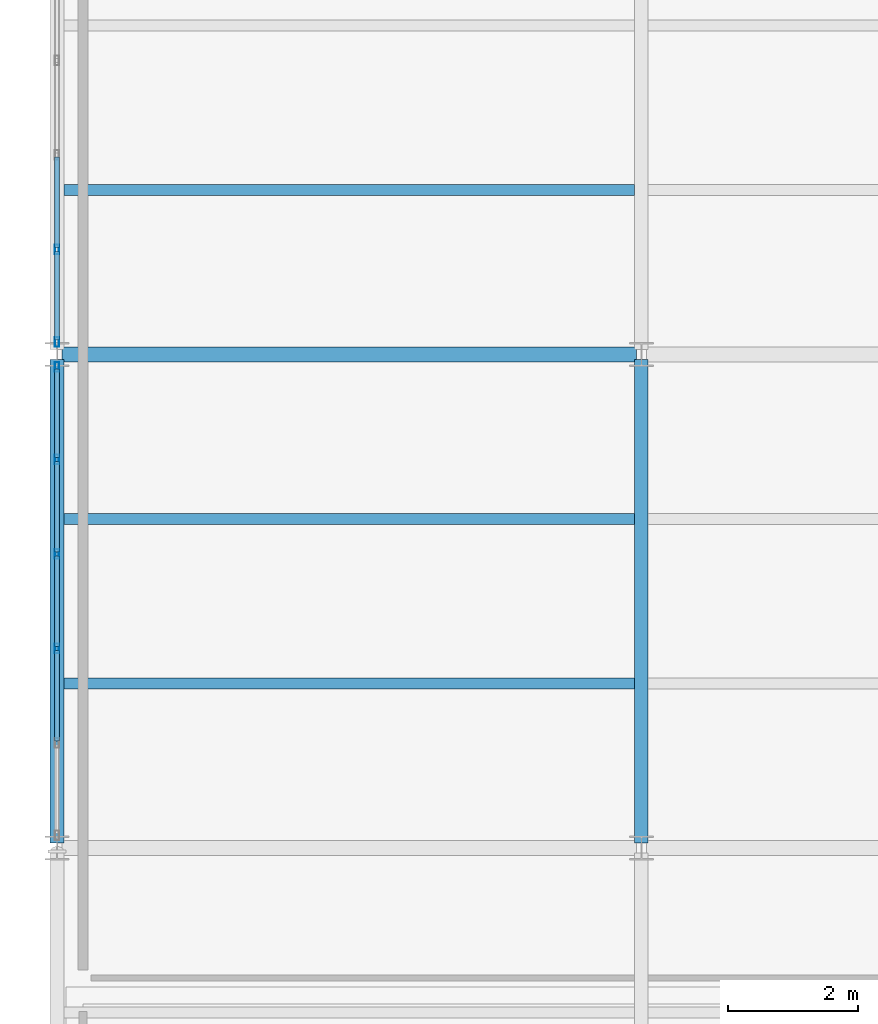
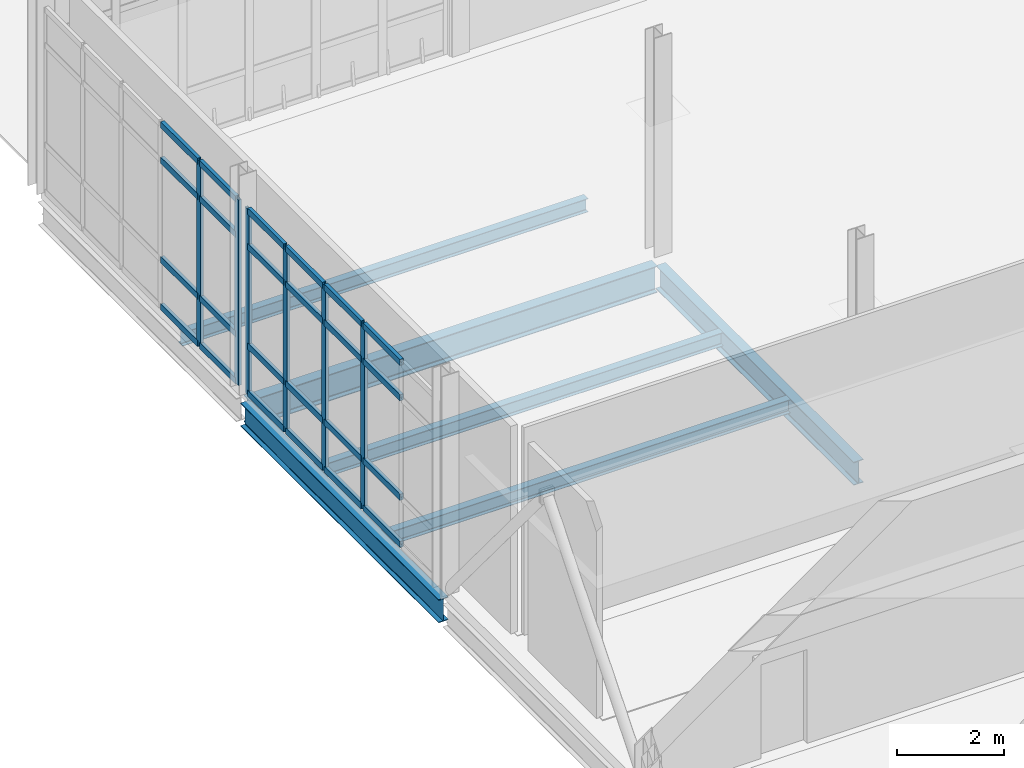
# One storey, part 42 of 161: 30 members, 6 beams, 2 elements without a shape of their own.
"""IFC4 building model written with IfcOpenShell, lengths in metres."""

from ifc_helpers import new_model, si_unit, direction, frame, origin, origin_2d, place, context, subcontext, project, spatial, hollow_rectangle, i_section, extrude, material, material_profile, profile_set, type_object, element, aggregate, save


model = new_model("IFC4")

# Units and contexts
model_context = context("Model", 3, precision=1e-05, world=origin(), true_north=direction((0.0, 1.0)))
body_context = subcontext(model_context, "Body", "Model", "MODEL_VIEW")
ifc_project = project(units=[si_unit("LENGTHUNIT", "METRE"), si_unit("AREAUNIT", "SQUARE_METRE"), si_unit("VOLUMEUNIT", "CUBIC_METRE"), si_unit("PLANEANGLEUNIT", "RADIAN"), si_unit("MASSUNIT", "GRAM", prefix="KILO")], contexts=[model_context])

# Site, building, storey
site_placement = place(None, origin())
site = spatial("IfcSite", under=ifc_project, at=site_placement, CompositionType="ELEMENT")
building_placement = place(site_placement, origin())
building = spatial("IfcBuilding", under=site, at=building_placement, Name="Caisbarro Railhouse Central Library", CompositionType="ELEMENT")
storey_placement = place(building_placement, origin())
storey = spatial("IfcBuildingStorey", under=building, at=storey_placement, Name="L00", CompositionType="ELEMENT", Elevation=0.0)

# Beams
ifc_material_1 = material(Name="Steel ASTM A572 Grade 50", Category="steel")
ifc_material_profile_1 = material_profile(ifc_material_1, i_section(OverallWidth=0.22802734375, OverallDepth=0.60791015625, WebThickness=0.01123046875, FlangeThickness=0.017333984375, FilletRadius=0.02197265625, at=origin_2d()), Name="W610X113.0")
ifc_profile_set_1 = profile_set([ifc_material_profile_1], Name="Steel ASTM A572 Grade 50")
beam_type_1 = type_object("IfcBeamType", Name="BM-G04", PredefinedType="BEAM", material=ifc_profile_set_1)
beam_placement = place(storey_placement, frame((0.080078125, 53.199951171875, -0.553955078125), z_axis=(1.0, 0.0, 0.0), x_axis=(0.0, 1.0, 0.0)))
element("IfcBeam", 1, at=beam_placement, inside=storey, type_object=beam_type_1, Name="G04 beam L00 #267", PredefinedType="BEAM", context=body_context, shape_type="SweptSolid", body=[
    extrude(i_section(OverallWidth=0.22802734375, OverallDepth=0.60791015625, WebThickness=0.01123046875, FlangeThickness=0.017333984375, FilletRadius=0.02197265625, at=origin_2d()), origin(), (0.0, 0.0, 1.0), 8.83984375),
])
ifc_material_profile_2 = material_profile(ifc_material_1, i_section(OverallWidth=0.208984375, OverallDepth=0.532958984375, WebThickness=0.01025390625, FlangeThickness=0.015625, FilletRadius=0.02001953125, at=origin_2d()), Name="W530X92.0")
ifc_profile_set_2 = profile_set([ifc_material_profile_2], Name="Steel ASTM A572 Grade 50")
beam_type_2 = type_object("IfcBeamType", Name="BM-G06", PredefinedType="BEAM", material=ifc_profile_set_2)
for number, where, z_axis, x_axis, name in (
    (2, (0.0, 45.679931640625, -0.5166015625), (0.0, 1.0, 0.0), (-1.0, 0.0, 0.0), "G06 beam L00 #285"),
    (3, (9.0, 45.679931640625, -0.5166015625), (0.0, 1.0, 0.0), (-1.0, 0.0, 0.0), "G06 beam L00 #289"),
):
    element("IfcBeam", number, at=place(storey_placement, frame(where, z_axis=z_axis, x_axis=x_axis)), inside=storey, type_object=beam_type_2, Name=name, PredefinedType="BEAM", context=body_context, shape_type="SweptSolid", body=[
        extrude(i_section(OverallWidth=0.208984375, OverallDepth=0.532958984375, WebThickness=0.01025390625, FlangeThickness=0.015625, FilletRadius=0.02001953125, at=origin_2d()), origin(), (0.0, 0.0, 1.0), 7.440185546875),
    ])
ifc_material_profile_3 = material_profile(ifc_material_1, i_section(OverallWidth=0.1650390625, OverallDepth=0.31005859375, WebThickness=0.005859375, FlangeThickness=0.009765625, FilletRadius=0.011962890625, at=origin_2d()), Name="W310X38.7")
ifc_profile_set_3 = profile_set([ifc_material_profile_3], Name="Steel ASTM A572 Grade 50")
beam_type_3 = type_object("IfcBeamType", Name="BM-J03", PredefinedType="JOIST", material=ifc_profile_set_3)
for number, where, z_axis, x_axis, name in (
    (4, (0.1044921875, 48.13330078125, -0.405029296875), (1.0, 0.0, 0.0), (0.0, 1.0, 0.0), "J03 beam L00 #323"),
    (5, (0.1044921875, 50.666748046875, -0.405029296875), (1.0, 0.0, 0.0), (0.0, 1.0, 0.0), "J03 beam L00 #324"),
    (6, (0.1044921875, 55.7333984375, -0.405029296875), (1.0, 0.0, 0.0), (0.0, 1.0, 0.0), "J03 beam L00 #325"),
):
    element("IfcBeam", number, at=place(storey_placement, frame(where, z_axis=z_axis, x_axis=x_axis)), inside=storey, type_object=beam_type_3, Name=name, PredefinedType="JOIST", context=body_context, shape_type="SweptSolid", body=[
        extrude(i_section(OverallWidth=0.1650390625, OverallDepth=0.31005859375, WebThickness=0.005859375, FlangeThickness=0.009765625, FilletRadius=0.011962890625, at=origin_2d()), origin(), (0.0, 0.0, 1.0), 8.791015625),
    ])

# Curtain wall, members
ifc_material_2 = material(Name="Anodised architectural aluminium", Category="aluminium")
curtain_wall_type = type_object("IfcCurtainWallType", Name="CW-CW02", PredefinedType="NOTDEFINED", material=ifc_material_2)
curtain_wall_1_placement = place(storey_placement, origin())
curtain_wall_1 = element("IfcCurtainWall", 7, at=curtain_wall_1_placement, inside=storey, type_object=curtain_wall_type, Name="CW02 curtain wall L00 #21", PredefinedType="NOTDEFINED")
ifc_material_profile_4 = material_profile(ifc_material_2, hollow_rectangle(XDim=0.06494140625, YDim=0.14990234375, WallThickness=0.00390625, at=origin_2d()), Name="ALU-MUL-65X150")
ifc_profile_set_4 = profile_set([ifc_material_profile_4], Name="Anodised architectural aluminium")
member_type_1 = type_object("IfcMemberType", Name="CWM-M02", PredefinedType="MULLION", material=ifc_profile_set_4)
member_1_placement = place(storey_placement, frame((0.0, 48.672119140625, 0.0), z_axis=(0.0, 0.0, 1.0), x_axis=(-1.0, 0.0, 0.0)))
member_1 = element("IfcMember", 8, at=member_1_placement, type_object=member_type_1, Name="CW02 mullion 3", PredefinedType="MULLION", context=body_context, shape_type="SweptSolid", body=[
    extrude(hollow_rectangle(XDim=0.06494140625, YDim=0.14990234375, WallThickness=0.00390625, at=origin_2d()), origin(), (0.0, 0.0, 1.0), 4.25),
])
member_2_placement = place(storey_placement, frame((0.0, 50.1279296875, 0.0), z_axis=(0.0, 0.0, 1.0), x_axis=(-1.0, 0.0, 0.0)))
member_2 = element("IfcMember", 9, at=member_2_placement, type_object=member_type_1, Name="CW02 mullion 4", PredefinedType="MULLION", context=body_context, shape_type="SweptSolid", body=[
    extrude(hollow_rectangle(XDim=0.06494140625, YDim=0.14990234375, WallThickness=0.00390625, at=origin_2d()), origin(), (0.0, 0.0, 1.0), 4.25),
])
member_3_placement = place(storey_placement, frame((0.0, 51.583984375, 0.0), z_axis=(0.0, 0.0, 1.0), x_axis=(-1.0, 0.0, 0.0)))
member_3 = element("IfcMember", 10, at=member_3_placement, type_object=member_type_1, Name="CW02 mullion 5", PredefinedType="MULLION", context=body_context, shape_type="SweptSolid", body=[
    extrude(hollow_rectangle(XDim=0.06494140625, YDim=0.14990234375, WallThickness=0.00390625, at=origin_2d()), origin(), (0.0, 0.0, 1.0), 4.25),
])
member_4_placement = place(storey_placement, frame((0.0, 53.007568359375, 0.0), z_axis=(0.0, 0.0, 1.0), x_axis=(-1.0, 0.0, 0.0)))
member_4 = element("IfcMember", 11, at=member_4_placement, type_object=member_type_1, Name="CW02 mullion 6", PredefinedType="MULLION", context=body_context, shape_type="SweptSolid", body=[
    extrude(hollow_rectangle(XDim=0.06494140625, YDim=0.14990234375, WallThickness=0.00390625, at=origin_2d()), origin(), (0.0, 0.0, 1.0), 4.25),
])

curtain_wall_2_placement = place(storey_placement, origin())
curtain_wall_2 = element("IfcCurtainWall", 12, at=curtain_wall_2_placement, inside=storey, type_object=curtain_wall_type, Name="CW02 curtain wall L00 #22", PredefinedType="NOTDEFINED")
member_5_placement = place(storey_placement, frame((0.0, 53.392578125, 0.0), z_axis=(0.0, 0.0, 1.0), x_axis=(-1.0, 0.0, 0.0)))
member_5 = element("IfcMember", 13, at=member_5_placement, type_object=member_type_1, Name="CW02 mullion 1", PredefinedType="MULLION", context=body_context, shape_type="SweptSolid", body=[
    extrude(hollow_rectangle(XDim=0.06494140625, YDim=0.14990234375, WallThickness=0.00390625, at=origin_2d()), origin(), (0.0, 0.0, 1.0), 4.25),
])
member_6_placement = place(storey_placement, frame((0.0, 54.81591796875, 0.0), z_axis=(0.0, 0.0, 1.0), x_axis=(-1.0, 0.0, 0.0)))
member_6 = element("IfcMember", 14, at=member_6_placement, type_object=member_type_1, Name="CW02 mullion 2", PredefinedType="MULLION", context=body_context, shape_type="SweptSolid", body=[
    extrude(hollow_rectangle(XDim=0.06494140625, YDim=0.14990234375, WallThickness=0.00390625, at=origin_2d()), origin(), (0.0, 0.0, 1.0), 4.25),
])

# Member
ifc_material_profile_5 = material_profile(ifc_material_2, hollow_rectangle(XDim=0.074951171875, YDim=0.139892578125, WallThickness=0.00390625, at=origin_2d()), Name="ALU-TRN-75X140")
ifc_profile_set_5 = profile_set([ifc_material_profile_5], Name="Anodised architectural aluminium")
member_type_2 = type_object("IfcMemberType", Name="CWT-T01", PredefinedType="USERDEFINED", material=ifc_profile_set_5)
member_7_placement = place(storey_placement, frame((0.0, 47.24853515625, 0.03759765625), z_axis=(0.0, 1.0, 0.0), x_axis=(-1.0, 0.0, 0.0)))
member_7 = element("IfcMember", 15, at=member_7_placement, type_object=member_type_2, Name="CW02 transom 2.1", ObjectType="TRANSOM", PredefinedType="USERDEFINED", context=body_context, shape_type="SweptSolid", body=[
    extrude(hollow_rectangle(XDim=0.074951171875, YDim=0.139892578125, WallThickness=0.00390625, at=origin_2d()), origin(), (0.0, 0.0, 1.0), 1.390869140625),
])

member_8_placement = place(storey_placement, frame((0.0, 47.24853515625, 1.1201171875), z_axis=(0.0, 1.0, 0.0), x_axis=(-1.0, 0.0, 0.0)))
member_8 = element("IfcMember", 16, at=member_8_placement, type_object=member_type_2, Name="CW02 transom 2.2", ObjectType="TRANSOM", PredefinedType="USERDEFINED", context=body_context, shape_type="SweptSolid", body=[
    extrude(hollow_rectangle(XDim=0.074951171875, YDim=0.139892578125, WallThickness=0.00390625, at=origin_2d()), origin(), (0.0, 0.0, 1.0), 1.390869140625),
])

member_9_placement = place(storey_placement, frame((0.0, 47.24853515625, 3.39990234375), z_axis=(0.0, 1.0, 0.0), x_axis=(-1.0, 0.0, 0.0)))
member_9 = element("IfcMember", 17, at=member_9_placement, type_object=member_type_2, Name="CW02 transom 2.3", ObjectType="TRANSOM", PredefinedType="USERDEFINED", context=body_context, shape_type="SweptSolid", body=[
    extrude(hollow_rectangle(XDim=0.074951171875, YDim=0.139892578125, WallThickness=0.00390625, at=origin_2d()), origin(), (0.0, 0.0, 1.0), 1.390869140625),
])

member_10_placement = place(storey_placement, frame((0.0, 47.24853515625, 4.21240234375), z_axis=(0.0, 1.0, 0.0), x_axis=(-1.0, 0.0, 0.0)))
member_10 = element("IfcMember", 18, at=member_10_placement, type_object=member_type_2, Name="CW02 transom 2.4", ObjectType="TRANSOM", PredefinedType="USERDEFINED", context=body_context, shape_type="SweptSolid", body=[
    extrude(hollow_rectangle(XDim=0.074951171875, YDim=0.139892578125, WallThickness=0.00390625, at=origin_2d()), origin(), (0.0, 0.0, 1.0), 1.390869140625),
])

member_11_placement = place(storey_placement, frame((0.0, 48.70458984375, 0.03759765625), z_axis=(0.0, 1.0, 0.0), x_axis=(-1.0, 0.0, 0.0)))
member_11 = element("IfcMember", 19, at=member_11_placement, type_object=member_type_2, Name="CW02 transom 3.1", ObjectType="TRANSOM", PredefinedType="USERDEFINED", context=body_context, shape_type="SweptSolid", body=[
    extrude(hollow_rectangle(XDim=0.074951171875, YDim=0.139892578125, WallThickness=0.00390625, at=origin_2d()), origin(), (0.0, 0.0, 1.0), 1.390869140625),
])

member_12_placement = place(storey_placement, frame((0.0, 48.70458984375, 1.1201171875), z_axis=(0.0, 1.0, 0.0), x_axis=(-1.0, 0.0, 0.0)))
member_12 = element("IfcMember", 20, at=member_12_placement, type_object=member_type_2, Name="CW02 transom 3.2", ObjectType="TRANSOM", PredefinedType="USERDEFINED", context=body_context, shape_type="SweptSolid", body=[
    extrude(hollow_rectangle(XDim=0.074951171875, YDim=0.139892578125, WallThickness=0.00390625, at=origin_2d()), origin(), (0.0, 0.0, 1.0), 1.390869140625),
])

member_13_placement = place(storey_placement, frame((0.0, 48.70458984375, 3.39990234375), z_axis=(0.0, 1.0, 0.0), x_axis=(-1.0, 0.0, 0.0)))
member_13 = element("IfcMember", 21, at=member_13_placement, type_object=member_type_2, Name="CW02 transom 3.3", ObjectType="TRANSOM", PredefinedType="USERDEFINED", context=body_context, shape_type="SweptSolid", body=[
    extrude(hollow_rectangle(XDim=0.074951171875, YDim=0.139892578125, WallThickness=0.00390625, at=origin_2d()), origin(), (0.0, 0.0, 1.0), 1.390869140625),
])

member_14_placement = place(storey_placement, frame((0.0, 48.70458984375, 4.21240234375), z_axis=(0.0, 1.0, 0.0), x_axis=(-1.0, 0.0, 0.0)))
member_14 = element("IfcMember", 22, at=member_14_placement, type_object=member_type_2, Name="CW02 transom 3.4", ObjectType="TRANSOM", PredefinedType="USERDEFINED", context=body_context, shape_type="SweptSolid", body=[
    extrude(hollow_rectangle(XDim=0.074951171875, YDim=0.139892578125, WallThickness=0.00390625, at=origin_2d()), origin(), (0.0, 0.0, 1.0), 1.390869140625),
])

member_15_placement = place(storey_placement, frame((0.0, 50.160400390625, 0.03759765625), z_axis=(0.0, 1.0, 0.0), x_axis=(-1.0, 0.0, 0.0)))
member_15 = element("IfcMember", 23, at=member_15_placement, type_object=member_type_2, Name="CW02 transom 4.1", ObjectType="TRANSOM", PredefinedType="USERDEFINED", context=body_context, shape_type="SweptSolid", body=[
    extrude(hollow_rectangle(XDim=0.074951171875, YDim=0.139892578125, WallThickness=0.00390625, at=origin_2d()), origin(), (0.0, 0.0, 1.0), 1.39111328125),
])

member_16_placement = place(storey_placement, frame((0.0, 50.160400390625, 1.1201171875), z_axis=(0.0, 1.0, 0.0), x_axis=(-1.0, 0.0, 0.0)))
member_16 = element("IfcMember", 24, at=member_16_placement, type_object=member_type_2, Name="CW02 transom 4.2", ObjectType="TRANSOM", PredefinedType="USERDEFINED", context=body_context, shape_type="SweptSolid", body=[
    extrude(hollow_rectangle(XDim=0.074951171875, YDim=0.139892578125, WallThickness=0.00390625, at=origin_2d()), origin(), (0.0, 0.0, 1.0), 1.39111328125),
])

member_17_placement = place(storey_placement, frame((0.0, 50.160400390625, 3.39990234375), z_axis=(0.0, 1.0, 0.0), x_axis=(-1.0, 0.0, 0.0)))
member_17 = element("IfcMember", 25, at=member_17_placement, type_object=member_type_2, Name="CW02 transom 4.3", ObjectType="TRANSOM", PredefinedType="USERDEFINED", context=body_context, shape_type="SweptSolid", body=[
    extrude(hollow_rectangle(XDim=0.074951171875, YDim=0.139892578125, WallThickness=0.00390625, at=origin_2d()), origin(), (0.0, 0.0, 1.0), 1.39111328125),
])

member_18_placement = place(storey_placement, frame((0.0, 50.160400390625, 4.21240234375), z_axis=(0.0, 1.0, 0.0), x_axis=(-1.0, 0.0, 0.0)))
member_18 = element("IfcMember", 26, at=member_18_placement, type_object=member_type_2, Name="CW02 transom 4.4", ObjectType="TRANSOM", PredefinedType="USERDEFINED", context=body_context, shape_type="SweptSolid", body=[
    extrude(hollow_rectangle(XDim=0.074951171875, YDim=0.139892578125, WallThickness=0.00390625, at=origin_2d()), origin(), (0.0, 0.0, 1.0), 1.39111328125),
])

member_19_placement = place(storey_placement, frame((0.0, 51.616455078125, 0.03759765625), z_axis=(0.0, 1.0, 0.0), x_axis=(-1.0, 0.0, 0.0)))
member_19 = element("IfcMember", 27, at=member_19_placement, type_object=member_type_2, Name="CW02 transom 5.1", ObjectType="TRANSOM", PredefinedType="USERDEFINED", context=body_context, shape_type="SweptSolid", body=[
    extrude(hollow_rectangle(XDim=0.074951171875, YDim=0.139892578125, WallThickness=0.00390625, at=origin_2d()), origin(), (0.0, 0.0, 1.0), 1.358642578125),
])

member_20_placement = place(storey_placement, frame((0.0, 51.616455078125, 1.1201171875), z_axis=(0.0, 1.0, 0.0), x_axis=(-1.0, 0.0, 0.0)))
member_20 = element("IfcMember", 28, at=member_20_placement, type_object=member_type_2, Name="CW02 transom 5.2", ObjectType="TRANSOM", PredefinedType="USERDEFINED", context=body_context, shape_type="SweptSolid", body=[
    extrude(hollow_rectangle(XDim=0.074951171875, YDim=0.139892578125, WallThickness=0.00390625, at=origin_2d()), origin(), (0.0, 0.0, 1.0), 1.358642578125),
])

member_21_placement = place(storey_placement, frame((0.0, 51.616455078125, 3.39990234375), z_axis=(0.0, 1.0, 0.0), x_axis=(-1.0, 0.0, 0.0)))
member_21 = element("IfcMember", 29, at=member_21_placement, type_object=member_type_2, Name="CW02 transom 5.3", ObjectType="TRANSOM", PredefinedType="USERDEFINED", context=body_context, shape_type="SweptSolid", body=[
    extrude(hollow_rectangle(XDim=0.074951171875, YDim=0.139892578125, WallThickness=0.00390625, at=origin_2d()), origin(), (0.0, 0.0, 1.0), 1.358642578125),
])

member_22_placement = place(storey_placement, frame((0.0, 51.616455078125, 4.21240234375), z_axis=(0.0, 1.0, 0.0), x_axis=(-1.0, 0.0, 0.0)))
member_22 = element("IfcMember", 30, at=member_22_placement, type_object=member_type_2, Name="CW02 transom 5.4", ObjectType="TRANSOM", PredefinedType="USERDEFINED", context=body_context, shape_type="SweptSolid", body=[
    extrude(hollow_rectangle(XDim=0.074951171875, YDim=0.139892578125, WallThickness=0.00390625, at=origin_2d()), origin(), (0.0, 0.0, 1.0), 1.358642578125),
])

aggregate(curtain_wall_1, [member_1, member_2, member_3, member_4, member_7, member_8, member_9, member_10, member_11, member_12, member_13, member_14, member_15, member_16, member_17, member_18, member_19, member_20, member_21, member_22])

member_23_placement = place(storey_placement, frame((0.0, 53.425048828125, 0.03759765625), z_axis=(0.0, 1.0, 0.0), x_axis=(-1.0, 0.0, 0.0)))
member_23 = element("IfcMember", 31, at=member_23_placement, type_object=member_type_2, Name="CW02 transom 1.1", ObjectType="TRANSOM", PredefinedType="USERDEFINED", context=body_context, shape_type="SweptSolid", body=[
    extrude(hollow_rectangle(XDim=0.074951171875, YDim=0.139892578125, WallThickness=0.00390625, at=origin_2d()), origin(), (0.0, 0.0, 1.0), 1.3583984375),
])

member_24_placement = place(storey_placement, frame((0.0, 53.425048828125, 1.1201171875), z_axis=(0.0, 1.0, 0.0), x_axis=(-1.0, 0.0, 0.0)))
member_24 = element("IfcMember", 32, at=member_24_placement, type_object=member_type_2, Name="CW02 transom 1.2", ObjectType="TRANSOM", PredefinedType="USERDEFINED", context=body_context, shape_type="SweptSolid", body=[
    extrude(hollow_rectangle(XDim=0.074951171875, YDim=0.139892578125, WallThickness=0.00390625, at=origin_2d()), origin(), (0.0, 0.0, 1.0), 1.3583984375),
])

member_25_placement = place(storey_placement, frame((0.0, 53.425048828125, 3.39990234375), z_axis=(0.0, 1.0, 0.0), x_axis=(-1.0, 0.0, 0.0)))
member_25 = element("IfcMember", 33, at=member_25_placement, type_object=member_type_2, Name="CW02 transom 1.3", ObjectType="TRANSOM", PredefinedType="USERDEFINED", context=body_context, shape_type="SweptSolid", body=[
    extrude(hollow_rectangle(XDim=0.074951171875, YDim=0.139892578125, WallThickness=0.00390625, at=origin_2d()), origin(), (0.0, 0.0, 1.0), 1.3583984375),
])

member_26_placement = place(storey_placement, frame((0.0, 53.425048828125, 4.21240234375), z_axis=(0.0, 1.0, 0.0), x_axis=(-1.0, 0.0, 0.0)))
member_26 = element("IfcMember", 34, at=member_26_placement, type_object=member_type_2, Name="CW02 transom 1.4", ObjectType="TRANSOM", PredefinedType="USERDEFINED", context=body_context, shape_type="SweptSolid", body=[
    extrude(hollow_rectangle(XDim=0.074951171875, YDim=0.139892578125, WallThickness=0.00390625, at=origin_2d()), origin(), (0.0, 0.0, 1.0), 1.3583984375),
])

member_27_placement = place(storey_placement, frame((0.0, 54.848388671875, 0.03759765625), z_axis=(0.0, 1.0, 0.0), x_axis=(-1.0, 0.0, 0.0)))
member_27 = element("IfcMember", 35, at=member_27_placement, type_object=member_type_2, Name="CW02 transom 2.1", ObjectType="TRANSOM", PredefinedType="USERDEFINED", context=body_context, shape_type="SweptSolid", body=[
    extrude(hollow_rectangle(XDim=0.074951171875, YDim=0.139892578125, WallThickness=0.00390625, at=origin_2d()), origin(), (0.0, 0.0, 1.0), 1.39111328125),
])

member_28_placement = place(storey_placement, frame((0.0, 54.848388671875, 1.1201171875), z_axis=(0.0, 1.0, 0.0), x_axis=(-1.0, 0.0, 0.0)))
member_28 = element("IfcMember", 36, at=member_28_placement, type_object=member_type_2, Name="CW02 transom 2.2", ObjectType="TRANSOM", PredefinedType="USERDEFINED", context=body_context, shape_type="SweptSolid", body=[
    extrude(hollow_rectangle(XDim=0.074951171875, YDim=0.139892578125, WallThickness=0.00390625, at=origin_2d()), origin(), (0.0, 0.0, 1.0), 1.39111328125),
])

member_29_placement = place(storey_placement, frame((0.0, 54.848388671875, 3.39990234375), z_axis=(0.0, 1.0, 0.0), x_axis=(-1.0, 0.0, 0.0)))
member_29 = element("IfcMember", 37, at=member_29_placement, type_object=member_type_2, Name="CW02 transom 2.3", ObjectType="TRANSOM", PredefinedType="USERDEFINED", context=body_context, shape_type="SweptSolid", body=[
    extrude(hollow_rectangle(XDim=0.074951171875, YDim=0.139892578125, WallThickness=0.00390625, at=origin_2d()), origin(), (0.0, 0.0, 1.0), 1.39111328125),
])

member_30_placement = place(storey_placement, frame((0.0, 54.848388671875, 4.21240234375), z_axis=(0.0, 1.0, 0.0), x_axis=(-1.0, 0.0, 0.0)))
member_30 = element("IfcMember", 38, at=member_30_placement, type_object=member_type_2, Name="CW02 transom 2.4", ObjectType="TRANSOM", PredefinedType="USERDEFINED", context=body_context, shape_type="SweptSolid", body=[
    extrude(hollow_rectangle(XDim=0.074951171875, YDim=0.139892578125, WallThickness=0.00390625, at=origin_2d()), origin(), (0.0, 0.0, 1.0), 1.39111328125),
])

aggregate(curtain_wall_2, [member_5, member_6, member_23, member_24, member_25, member_26, member_27, member_28, member_29, member_30])

save(model, "model.ifc")
